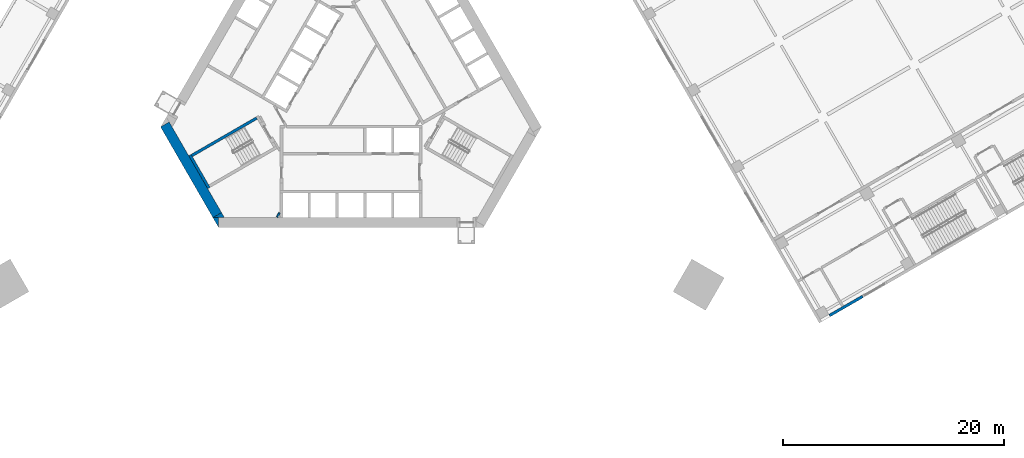
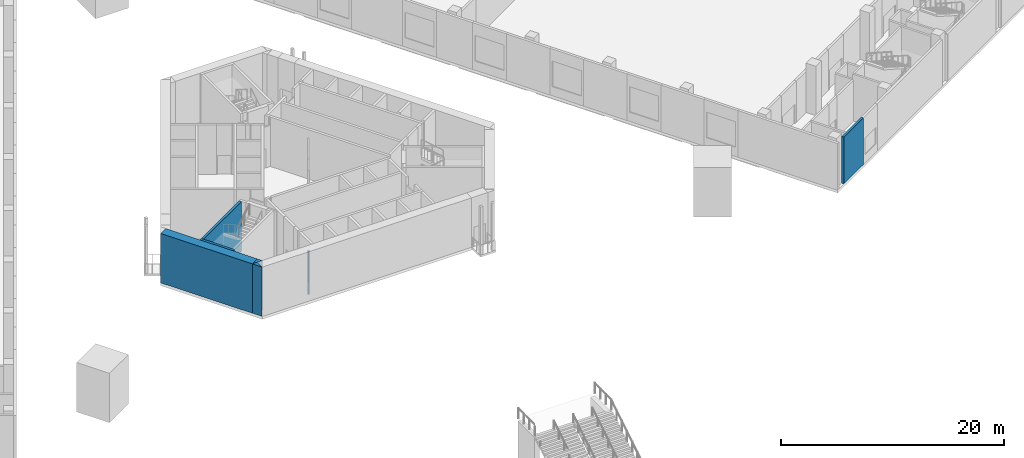
# One storey, part 11 of 35: 7 walls.
"""IFC4 building model written with IfcOpenShell, lengths in metres."""

from ifc_helpers import new_model, si_unit, direction, frame, frame_2d, origin, place, context, subcontext, project, spatial, polyline, rectangle, outline, extrude, material, layer, layer_set, type_object, element, save


model = new_model("IFC4")

# Units and contexts
model_context = context("Model", 3, precision=1e-05, world=origin(), true_north=direction((0.0, 1.0)))
body_context = subcontext(model_context, "Body", "Model", "MODEL_VIEW")
ifc_project = project(units=[si_unit("LENGTHUNIT", "METRE"), si_unit("AREAUNIT", "SQUARE_METRE"), si_unit("VOLUMEUNIT", "CUBIC_METRE"), si_unit("PLANEANGLEUNIT", "RADIAN"), si_unit("MASSUNIT", "GRAM", prefix="KILO")], contexts=[model_context])

# Site, building, storey
site_placement = place(None, origin())
site = spatial("IfcSite", under=ifc_project, at=site_placement, CompositionType="ELEMENT")
building_placement = place(site_placement, origin())
building = spatial("IfcBuilding", under=site, at=building_placement, Name="Mestral Congress Tower", CompositionType="ELEMENT")
storey_placement = place(building_placement, frame((0.0, 0.0, 6.0)))
storey = spatial("IfcBuildingStorey", under=building, at=storey_placement, Name="L01", CompositionType="ELEMENT", Elevation=6.0)

# Walls
ifc_material_1 = material(Name="Fire-rated board partition")
ifc_layer_1 = layer(ifc_material_1, 0.14990234375)
ifc_layer_set_1 = layer_set([ifc_layer_1], Name="Fire-rated board partition")
wall_type_1 = type_object("IfcWallType", Name="Core partition 150", PredefinedType="PARTITIONING", material=ifc_layer_set_1)
wall_1_placement = place(storey_placement, frame((-6.707763671875, -12.068115234375, 0.0), z_axis=(0.0, 0.0, 1.0), x_axis=(0.500000789788, 0.8660249478, 0.0)))
element("IfcWall", 1, at=wall_1_placement, inside=storey, type_object=wall_type_1, Name="L01 core wall", PredefinedType="PARTITIONING", context=body_context, shape_type="SweptSolid", body=[
    extrude(rectangle(XDim=0.45556640625, YDim=0.14990234375, at=frame_2d((0.227783203125, 0.0))), origin(), (0.0, 0.0, 1.0), 4.5),
])
ifc_material_2 = material(Name="Concrete C60/75", Category="concrete")
ifc_layer_2 = layer(ifc_material_2, 0.89990234375)
ifc_layer_set_2 = layer_set([ifc_layer_2], Name="Concrete C60/75")
wall_type_2 = type_object("IfcWallType", Name="Core wall RC 900", PredefinedType="SOLIDWALL", material=ifc_layer_set_2)
placement = place(storey_placement, origin())
element("IfcWall", 2, at=placement, inside=storey, type_object=wall_type_2, Name="L01 core wall", PredefinedType="SOLIDWALL", context=body_context, shape_type="SweptSolid", body=[
    extrude(outline(polyline([(-12.528564453125, -12.10009765625), (-12.0205078125, -12.10009765625), (-12.0205078125, -12.97998046875), (-12.528564453125, -12.10009765625)])), origin(), (0.0, 0.0, 1.0), 5.39990234375),
])
wall_3_placement = place(storey_placement, frame((-12.134033203125, -11.88330078125, 0.0), z_axis=(0.0, 0.0, 1.0), x_axis=(-0.500005339912, 0.866022320763, 0.0)))
element("IfcWall", 3, at=wall_3_placement, inside=storey, type_object=wall_type_2, Name="L01 core wall", PredefinedType="SOLIDWALL", context=body_context, shape_type="SweptSolid", body=[
    extrude(rectangle(XDim=9.48779296875, YDim=0.89990234375, at=frame_2d((4.743896484375, 0.0))), origin(), (0.0, 0.0, 1.0), 5.39990234375),
])
element("IfcWall", 4, at=placement, inside=storey, type_object=wall_type_2, Name="L01 core wall", PredefinedType="SOLIDWALL", context=body_context, shape_type="SweptSolid", body=[
    extrude(outline(polyline([(-11.4892578125, -12.10009765625), (-12.50537109375, -12.10009765625), (-11.743408203125, -11.66015625), (-11.4892578125, -12.10009765625)])), origin(), (0.0, 0.0, 1.0), 5.39990234375),
])
ifc_material_3 = material(Name="Precast concrete C40/50 with limestone facing", Category="masonry")
ifc_layer_3 = layer(ifc_material_3, 0.25)
ifc_layer_set_3 = layer_set([ifc_layer_3], Name="Precast concrete C40/50 with limestone facing")
wall_type_3 = type_object("IfcWallType", Name="Podium external wall 250", PredefinedType="SOLIDWALL", material=ifc_layer_set_3)
wall_5_placement = place(storey_placement, frame((46.397216796875, -19.256103515625, 0.0), z_axis=(0.0, 0.0, 1.0), x_axis=(-0.866025305473, -0.500000170281, 0.0)))
element("IfcWall", 5, at=wall_5_placement, inside=storey, type_object=wall_type_3, Name="L01 external wall", PredefinedType="SOLIDWALL", context=body_context, shape_type="SweptSolid", body=[
    extrude(rectangle(XDim=3.47509765625, YDim=0.25, at=frame_2d((1.737548828125, 0.0))), origin(), (0.0, 0.0, 1.0), 5.10009765625),
])
ifc_layer_4 = layer(ifc_material_2, 0.25)
ifc_layer_set_4 = layer_set([ifc_layer_4], Name="Concrete C60/75")
wall_type_4 = type_object("IfcWallType", Name="Stair wall RC 250", PredefinedType="SOLIDWALL", material=ifc_layer_set_4)
wall_6_placement = place(storey_placement, frame((-12.885498046875, -9.431396484375, 0.0), z_axis=(0.0, 0.0, 1.0), x_axis=(-0.500020560727, 0.866013532718, 0.0)))
element("IfcWall", 6, at=wall_6_placement, inside=storey, type_object=wall_type_4, Name="L01 core wall", PredefinedType="SOLIDWALL", context=body_context, shape_type="SweptSolid", body=[
    extrude(rectangle(XDim=3.449951171875, YDim=0.25, at=frame_2d((1.72509765625, 0.0))), origin(), (0.0, 0.0, 1.0), 5.39990234375),
])
wall_7_placement = place(storey_placement, frame((-14.43994140625, -6.489501953125, 0.0), z_axis=(0.0, 0.0, 1.0), x_axis=(0.866022966069, 0.500004222222, 0.0)))
element("IfcWall", 7, at=wall_7_placement, inside=storey, type_object=wall_type_4, Name="L01 core wall", PredefinedType="SOLIDWALL", context=body_context, shape_type="SweptSolid", body=[
    extrude(rectangle(XDim=6.80029296875, YDim=0.25, at=frame_2d((3.400146484375, 0.0))), origin(), (0.0, 0.0, 1.0), 5.39990234375),
])

save(model, "model.ifc")
